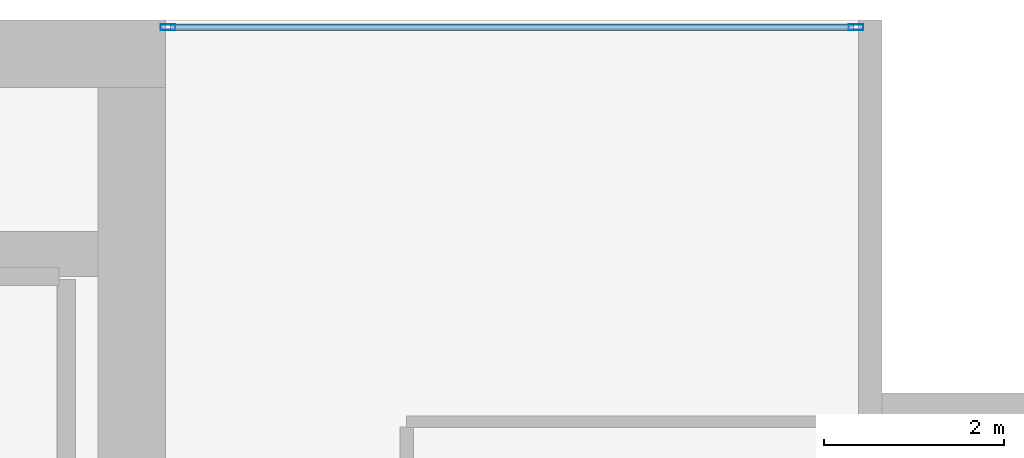
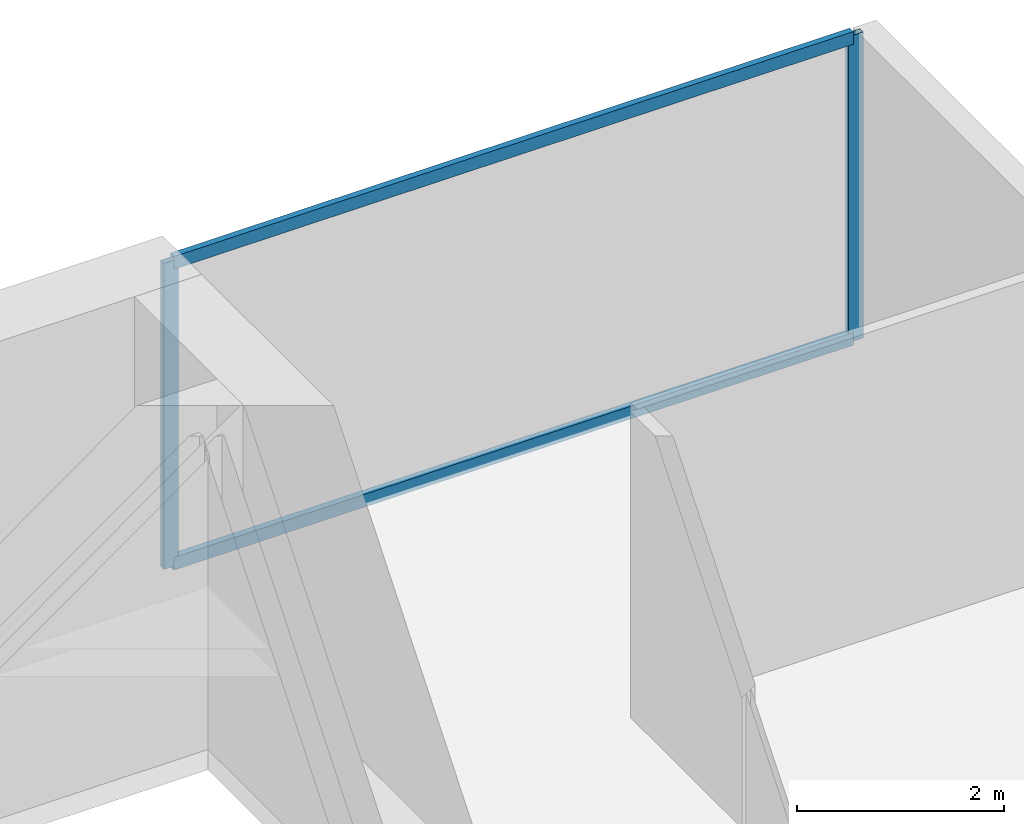
# One storey, part 25 of 33: 4 members, 1 element without a shape of its own.
"""IFC4 building model written with IfcOpenShell, lengths in metres."""

from ifc_helpers import new_model, si_unit, direction, frame, origin, origin_2d, place, context, subcontext, project, spatial, hollow_rectangle, extrude, material, layer, layer_set, material_profile, profile_set, type_object, element, aggregate, save


model = new_model("IFC4")

# Units and contexts
model_context = context("Model", 3, precision=1e-05, world=origin(), true_north=direction((0.0, 1.0)))
body_context = subcontext(model_context, "Body", "Model", "MODEL_VIEW")
ifc_project = project(units=[si_unit("LENGTHUNIT", "METRE"), si_unit("AREAUNIT", "SQUARE_METRE"), si_unit("VOLUMEUNIT", "CUBIC_METRE"), si_unit("PLANEANGLEUNIT", "RADIAN"), si_unit("MASSUNIT", "GRAM", prefix="KILO")], contexts=[model_context])

# Site, building, storey
site_placement = place(None, origin())
site = spatial("IfcSite", under=ifc_project, at=site_placement, CompositionType="ELEMENT")
building_placement = place(site_placement, origin())
building = spatial("IfcBuilding", under=site, at=building_placement, Name="Maruvema Waterfront Hotel and Observation Tower", CompositionType="ELEMENT")
storey_placement = place(building_placement, frame((0.0, 0.0, 142.800048828125)))
storey = spatial("IfcBuildingStorey", under=building, at=storey_placement, Name="L34", CompositionType="ELEMENT", Elevation=142.800048828125)

# Curtain wall, members
ifc_material_1 = material(Name="Anodised bronze aluminium and solar-control low-E IGU", Category="aluminium")
ifc_layer = layer(ifc_material_1, 0.159912109375, Name="Zone 2 Amber Inner Thermal Curtain Wall System CW-03")
ifc_layer_set = layer_set([ifc_layer], Name="Anodised bronze aluminium and solar-control low-E IGU")
curtain_wall_type = type_object("IfcCurtainWallType", Name="Zone 2 Amber Inner Thermal Curtain Wall System CW-03", PredefinedType="USERDEFINED", material=ifc_layer_set)
curtain_wall_placement = place(storey_placement, origin())
curtain_wall = element("IfcCurtainWall", 1, at=curtain_wall_placement, inside=storey, type_object=curtain_wall_type, Name="L34 Curtain Wall CW-L34-NE", ObjectType="UNITISED CURTAIN WALL", PredefinedType="USERDEFINED")
ifc_material_2 = material(Name="Anodised architectural bronze aluminium", Category="aluminium")
ifc_material_profile_1 = material_profile(ifc_material_2, hollow_rectangle(XDim=0.070068359375, YDim=0.14990234375, WallThickness=0.00390625, at=origin_2d()), Name="ALU-T70x150")
ifc_profile_set_1 = profile_set([ifc_material_profile_1], Name="Anodised architectural bronze aluminium")
member_type_1 = type_object("IfcMemberType", Name="Curtain Wall Horizontal Transom ALU-T70x150", PredefinedType="USERDEFINED", material=ifc_profile_set_1)
member_1_placement = place(storey_placement, frame((58.0400390625, 53.919921875, 0.030029296875), z_axis=(-1.0, 0.0, 0.0), x_axis=(0.0, -1.0, 0.0)))
member_1 = element("IfcMember", 2, at=member_1_placement, type_object=member_type_1, Name="CW-03 transom 1.1", ObjectType="TRANSOM", PredefinedType="USERDEFINED", context=body_context, shape_type="SweptSolid", body=[
    extrude(hollow_rectangle(XDim=0.070068359375, YDim=0.14990234375, WallThickness=0.00390625, at=origin_2d()), origin(), (0.0, 0.0, 1.0), 7.580078125),
])
member_2_placement = place(storey_placement, frame((58.0400390625, 53.919921875, 3.579833984375), z_axis=(-1.0, 0.0, 0.0), x_axis=(0.0, -1.0, 0.0)))
member_2 = element("IfcMember", 3, at=member_2_placement, type_object=member_type_1, Name="CW-03 transom 1.2", ObjectType="TRANSOM", PredefinedType="USERDEFINED", context=body_context, shape_type="SweptSolid", body=[
    extrude(hollow_rectangle(XDim=0.070068359375, YDim=0.14990234375, WallThickness=0.00390625, at=origin_2d()), origin(), (0.0, 0.0, 1.0), 7.580078125),
])
ifc_material_3 = material(Name="Anodised architectural bronze aluminium", Category="aluminium")
ifc_material_profile_2 = material_profile(ifc_material_3, hollow_rectangle(XDim=0.06494140625, YDim=0.1650390625, WallThickness=0.00390625, at=origin_2d()), Name="ALU-M65x165")
ifc_profile_set_2 = profile_set([ifc_material_profile_2], Name="Anodised architectural bronze aluminium")
member_type_2 = type_object("IfcMemberType", Name="Curtain Wall Primary Mullion ALU-M65x165", PredefinedType="MULLION", material=ifc_profile_set_2)
member_3_placement = place(storey_placement, frame((58.070068359375, 53.919921875, 0.0), z_axis=(0.0, 0.0, 1.0), x_axis=(0.0, -1.0, 0.0)))
member_3 = element("IfcMember", 4, at=member_3_placement, type_object=member_type_2, Name="CW-03 mullion 1", PredefinedType="MULLION", context=body_context, shape_type="SweptSolid", body=[
    extrude(hollow_rectangle(XDim=0.06494140625, YDim=0.1650390625, WallThickness=0.00390625, at=origin_2d()), origin(), (0.0, 0.0, 1.0), 3.60986328125),
])
member_4_placement = place(storey_placement, frame((50.429931640625, 53.919921875, 0.0), z_axis=(0.0, 0.0, 1.0), x_axis=(0.0, -1.0, 0.0)))
member_4 = element("IfcMember", 5, at=member_4_placement, type_object=member_type_2, Name="CW-03 mullion 2", PredefinedType="MULLION", context=body_context, shape_type="SweptSolid", body=[
    extrude(hollow_rectangle(XDim=0.06494140625, YDim=0.1650390625, WallThickness=0.00390625, at=origin_2d()), origin(), (0.0, 0.0, 1.0), 3.60986328125),
])
aggregate(curtain_wall, [member_3, member_4, member_1, member_2])

save(model, "model.ifc")
